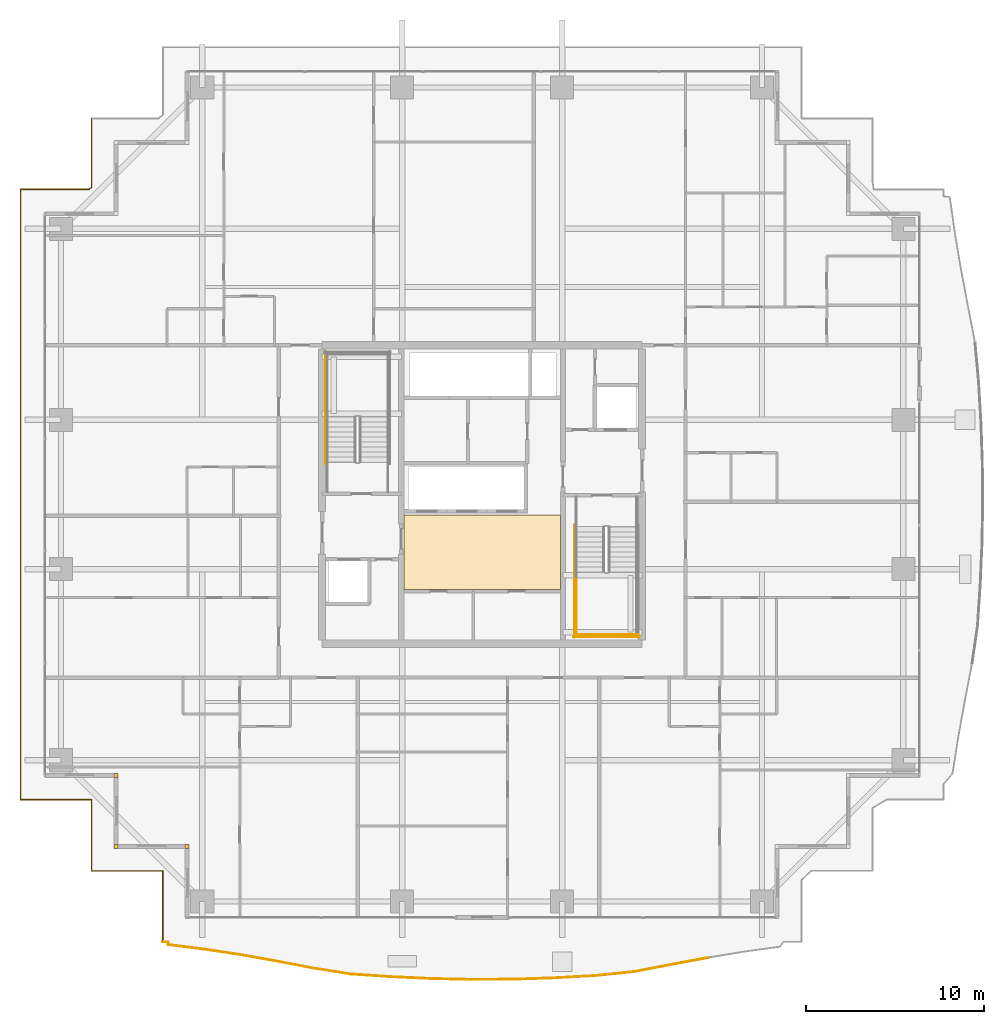
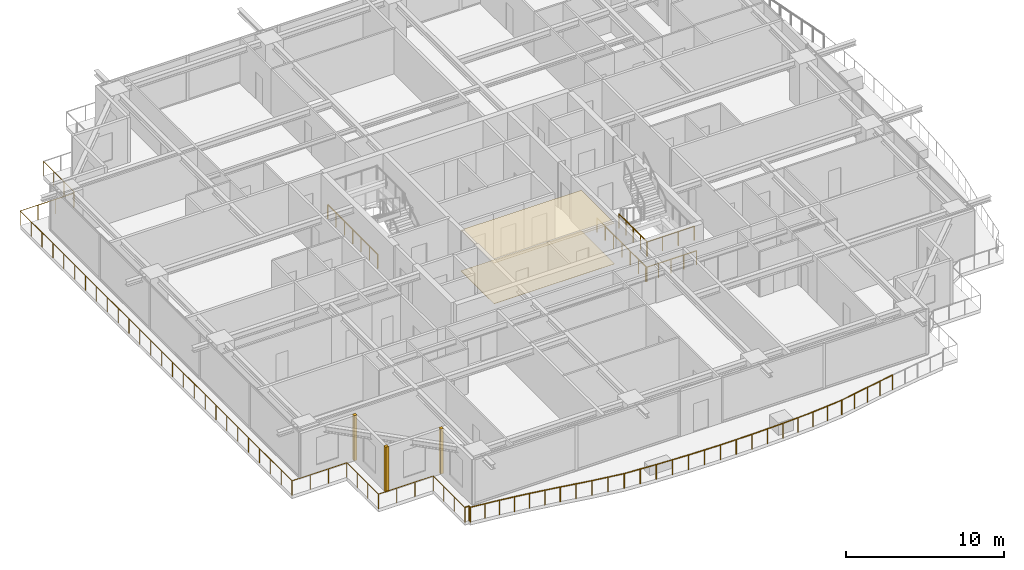
# One storey, part 32 of 36: 8 railings, 5 coverings.
"""IFC4 building model written with IfcOpenShell, lengths in metres."""

import ifcopenshell
import ifcopenshell.guid

model = None  # the IFC model being written
_history = None  # IfcOwnerHistory: only IFC2X3 demands one
_inside = {}  # id of a spatial element -> (the spatial element, [elements in it])
_under = {}  # id of a project, library or spatial element -> (it, [spatial elements below it])
_declared = {}  # id of a project -> (the project, [libraries it declares])
_typed = {}  # id of a type object -> (the type object, [elements of that type])
_made_of = {}  # id of a material, layer set ... -> (it, [elements and type objects made of it])


def new_model(schema):
    """Start an empty IFC model of exactly this schema.

    Asked for "IFC4X3", IfcOpenShell would pick the latest addendum, in which some entities
    have other attributes; the version numbers below select the first issue.
    IFC2X3 requires an IfcOwnerHistory on every rooted entity: one is made here for all.
    """
    global model, _history
    if schema == "IFC4X3":
        model = ifcopenshell.file(schema_version=(4, 3, 0, 0))
    else:
        model = ifcopenshell.file(schema=schema)
    _inside.clear()
    _under.clear()
    _declared.clear()
    _typed.clear()
    _made_of.clear()
    _history = None
    if model.schema == "IFC2X3":
        org = make("IfcOrganization", Name="unknown")
        user = make(
            "IfcPersonAndOrganization",
            ThePerson=make("IfcPerson", FamilyName="unknown"),
            TheOrganization=org,
        )
        app = make(
            "IfcApplication",
            ApplicationDeveloper=org,
            Version="unknown",
            ApplicationFullName="unknown",
            ApplicationIdentifier="unknown",
        )
        _history = make(
            "IfcOwnerHistory",
            OwningUser=user,
            OwningApplication=app,
            ChangeAction="ADDED",
            CreationDate=0,
        )
    return model


def make(cls, **values):
    """One entity of the class cls with the attributes given. An attribute that is None is left unset."""
    return model.create_entity(
        cls, **{name: value for name, value in values.items() if value is not None}
    )


def rooted(cls, **values):
    """An entity with a GlobalId (a new one), such as an element, a storey or a relation."""
    return make(cls, GlobalId=ifcopenshell.guid.new(), OwnerHistory=_history, **values)


def si_unit(unit_type, name, prefix=None):
    """IfcSIUnit, for example si_unit("LENGTHUNIT", "METRE", prefix="MILLI")."""
    return make("IfcSIUnit", UnitType=unit_type, Prefix=prefix, Name=name)


def assignment(units):
    """IfcUnitAssignment: the units of a project."""
    return None if units is None else make("IfcUnitAssignment", Units=units)


def point(xyz):
    """IfcCartesianPoint."""
    return None if xyz is None else make("IfcCartesianPoint", Coordinates=xyz)


def direction(xyz):
    """IfcDirection."""
    return None if xyz is None else make("IfcDirection", DirectionRatios=xyz)


def frame(location, z_axis=None, x_axis=None):
    """IfcAxis2Placement3D, a coordinate frame: its origin and axes. An axis left out is left unset."""
    return make(
        "IfcAxis2Placement3D",
        Location=point(location),
        Axis=direction(z_axis),
        RefDirection=direction(x_axis),
    )


def frame_2d(location, x_axis=None):
    """IfcAxis2Placement2D, a coordinate frame in the plane: its origin and x axis."""
    return make(
        "IfcAxis2Placement2D", Location=point(location), RefDirection=direction(x_axis)
    )


def origin():
    """The frame at (0, 0, 0) with its axes left unset."""
    return frame((0.0, 0.0, 0.0))


def origin_2d():
    """The frame at (0, 0) in the plane with its x axis left unset."""
    return frame_2d((0.0, 0.0))


def place(relative_to, where):
    """IfcLocalPlacement: puts the frame where relative to a parent placement (None: the world)."""
    return make(
        "IfcLocalPlacement", PlacementRelTo=relative_to, RelativePlacement=where
    )


def context(
    kind, dimensions, precision=None, world=None, true_north=None, identifier=None
):
    """IfcGeometricRepresentationContext, for example the 3D "Model" context."""
    return make(
        "IfcGeometricRepresentationContext",
        ContextIdentifier=identifier,
        ContextType=kind,
        CoordinateSpaceDimension=dimensions,
        Precision=precision,
        WorldCoordinateSystem=world,
        TrueNorth=true_north,
    )


def subcontext(parent, identifier, kind, view, scale=None):
    """IfcGeometricRepresentationSubContext, for example "Body" below "Model"."""
    return make(
        "IfcGeometricRepresentationSubContext",
        ContextIdentifier=identifier,
        ContextType=kind,
        ParentContext=parent,
        TargetScale=scale,
        TargetView=view,
    )


def project(units=None, contexts=None):
    """IfcProject with its units and contexts."""
    return rooted(
        "IfcProject",
        Name="project",
        RepresentationContexts=contexts,
        UnitsInContext=assignment(units),
    )


def spatial(cls, under=None, at=None, **own):
    """A site, building, storey or space (cls), placed at a placement, below another one or the project."""
    s = rooted(cls, ObjectPlacement=at, **own)
    if under is not None:
        _under.setdefault(under.id(), (under, []))[1].append(s)
    return s


def polyline(points):
    """IfcPolyline through the points."""
    return make("IfcPolyline", Points=[point(p) for p in points])


def profile(cls, at=None, kind="AREA", **sizes):
    """A parametric profile (cls). Its sizes go by their IFC names, for example OverallWidth=200.0."""
    return make(cls, ProfileType=kind, Position=at, **sizes)


def rectangle(**sizes):
    """IfcRectangleProfileDef."""
    return profile("IfcRectangleProfileDef", **sizes)


def circle(**sizes):
    """IfcCircleProfileDef."""
    return profile("IfcCircleProfileDef", **sizes)


def outline(outer, holes=None, kind="AREA"):
    """IfcArbitraryClosedProfileDef: a profile drawn as a closed curve; with holes, ...WithVoids."""
    if holes is None:
        return make("IfcArbitraryClosedProfileDef", ProfileType=kind, OuterCurve=outer)
    return make(
        "IfcArbitraryProfileDefWithVoids",
        ProfileType=kind,
        OuterCurve=outer,
        InnerCurves=holes,
    )


def extrude(swept, where, along, depth):
    """IfcExtrudedAreaSolid: the profile swept, set in the frame where, extruded along a direction by depth."""
    return make(
        "IfcExtrudedAreaSolid",
        SweptArea=swept,
        Position=where,
        ExtrudedDirection=direction(along),
        Depth=depth,
    )


def shape(context_of_items, identifier, shape_type, items):
    """IfcShapeRepresentation: the items that make up one representation, for example the "Body"."""
    return make(
        "IfcShapeRepresentation",
        ContextOfItems=context_of_items,
        RepresentationIdentifier=identifier,
        RepresentationType=shape_type,
        Items=items,
    )


def source(mapping_origin, context_of_items, identifier, shape_type, items):
    """IfcRepresentationMap: a shape defined once, which mapped items show again and again."""
    return make(
        "IfcRepresentationMap",
        MappingOrigin=mapping_origin,
        MappedRepresentation=shape(context_of_items, identifier, shape_type, items),
    )


def transform(
    local_origin,
    x_axis=None,
    y_axis=None,
    z_axis=None,
    scale=None,
    scale2=None,
    scale3=None,
    uniform=True,
):
    """IfcCartesianTransformationOperator3D, or its non-uniform kind. x_axis, y_axis, z_axis: its Axis1, 2, 3."""
    if uniform:
        return make(
            "IfcCartesianTransformationOperator3D",
            Axis1=direction(x_axis),
            Axis2=direction(y_axis),
            LocalOrigin=point(local_origin),
            Scale=scale,
            Axis3=direction(z_axis),
        )
    return make(
        "IfcCartesianTransformationOperator3DnonUniform",
        Axis1=direction(x_axis),
        Axis2=direction(y_axis),
        LocalOrigin=point(local_origin),
        Scale=scale,
        Axis3=direction(z_axis),
        Scale2=scale2,
        Scale3=scale3,
    )


def mapped(mapping_source, mapping_target):
    """IfcMappedItem: shows the shape of a source again, moved by a transform."""
    return make(
        "IfcMappedItem", MappingSource=mapping_source, MappingTarget=mapping_target
    )


def material(Name=None, Category=None):
    """IfcMaterial."""
    return make("IfcMaterial", Name=Name, Category=Category)


def layer(
    of_material, thickness, ventilated=None, Name=None, Category=None, Priority=None
):
    """IfcMaterialLayer: one layer of a wall or slab, of a material (None: an air gap)."""
    return make(
        "IfcMaterialLayer",
        Material=of_material,
        LayerThickness=thickness,
        IsVentilated=ventilated,
        Name=Name,
        Category=Category,
        Priority=Priority,
    )


def layer_set(layers, Name=None):
    """IfcMaterialLayerSet."""
    return make("IfcMaterialLayerSet", MaterialLayers=layers, LayerSetName=Name)


def made_of(thing, what):
    """Note that an element or type object is made of a material, layer set ...; save() writes the relation."""
    if what is not None:
        _made_of.setdefault(what.id(), (what, []))[1].append(thing)
    return thing


def type_object(cls, material=None, **own):
    """A type object (cls), such as IfcWallType, which elements share."""
    return made_of(rooted(cls, **own), material)


def element(
    cls,
    number,
    at=None,
    inside=None,
    cuts=None,
    type_object=None,
    material=None,
    context=None,
    identifier="Body",
    shape_type=None,
    held_by="IfcProductDefinitionShape",
    body=None,
    shapes=None,
    **own,
):
    """One element of the class cls, such as IfcWall. Its Tag is "e" and its number.

    at: its placement. inside: the storey or other place that contains it. cuts: it is an
    opening in that element (IfcRelVoidsElement). A single representation is given by context,
    identifier, shape_type and body (its items); several are given by shapes. held_by: the class
    of the entity that holds the representations. save() writes the other relations.
    """
    e = rooted(cls, Tag="e%d" % number, ObjectPlacement=at, **own)
    if body is not None:
        shapes = [shape(context, identifier, shape_type, body)]
    if shapes is not None:
        e.Representation = make(held_by, Representations=shapes)
    if inside is not None:
        _inside.setdefault(inside.id(), (inside, []))[1].append(e)
    if cuts is not None:
        rooted(
            "IfcRelVoidsElement", RelatingBuildingElement=cuts, RelatedOpeningElement=e
        )
    if type_object is not None:
        _typed.setdefault(type_object.id(), (type_object, []))[1].append(e)
    return made_of(e, material)


def aggregate(whole, parts):
    """IfcRelAggregates: a whole, such as a stair, and the parts it consists of."""
    return rooted("IfcRelAggregates", RelatingObject=whole, RelatedObjects=parts)


def save(model, path):
    """Write the relations noted so far, then the file.

    IfcRelAggregates (storeys below a building ...), IfcRelContainedInSpatialStructure (elements
    in a storey), IfcRelDefinesByType, IfcRelAssociatesMaterial and IfcRelDeclares: one each for
    every whole, place, type object, material and project.
    """
    for whole, parts in _under.values():
        aggregate(whole, parts)
    for where, things in _inside.values():
        rooted(
            "IfcRelContainedInSpatialStructure",
            RelatedElements=things,
            RelatingStructure=where,
        )
    for kind, things in _typed.values():
        rooted("IfcRelDefinesByType", RelatedObjects=things, RelatingType=kind)
    for what, things in _made_of.values():
        rooted("IfcRelAssociatesMaterial", RelatedObjects=things, RelatingMaterial=what)
    for by, libraries in _declared.values():
        rooted("IfcRelDeclares", RelatingContext=by, RelatedDefinitions=libraries)
    model.write(path)


model = new_model("IFC4")

# Units and contexts
model_context = context("Model", 3, precision=1e-05, world=origin(), true_north=direction((0.0, 1.0)))
body_context = subcontext(model_context, "Body", "Model", "MODEL_VIEW")
ifc_project = project(units=[si_unit("LENGTHUNIT", "METRE"), si_unit("AREAUNIT", "SQUARE_METRE"), si_unit("VOLUMEUNIT", "CUBIC_METRE"), si_unit("PLANEANGLEUNIT", "RADIAN"), si_unit("MASSUNIT", "GRAM", prefix="KILO")], contexts=[model_context])

# Site, building, storey
site_placement = place(None, origin())
site = spatial("IfcSite", under=ifc_project, at=site_placement, CompositionType="ELEMENT")
building_placement = place(site_placement, origin())
building = spatial("IfcBuilding", under=site, at=building_placement, Name="Serunith Strait Residences", CompositionType="ELEMENT")
storey_placement = place(building_placement, frame((0.0, 0.0, 131.39990234375)))
storey = spatial("IfcBuildingStorey", under=building, at=storey_placement, Name="L32", CompositionType="ELEMENT", Elevation=131.39990234375)

# Coverings
ifc_material_1 = material(Name="Perforated acoustic gypsum ceiling tile")
ifc_layer_1 = layer(ifc_material_1, 0.02490234375, Name="Perforated acoustic gypsum ceiling tile")
ifc_layer_set_1 = layer_set([ifc_layer_1], Name="Perforated acoustic gypsum ceiling tile")
covering_type_1 = type_object("IfcCoveringType", Name="COV-CEIL-AC60", PredefinedType="CEILING", material=ifc_layer_set_1)
covering_1_placement = place(storey_placement, frame((0.0, 0.0, 3.14013671875)))
element("IfcCovering", 1, at=covering_1_placement, inside=storey, type_object=covering_type_1, Name="L32 Lift Lobby Acoustic Ceiling", PredefinedType="CEILING", context=body_context, shape_type="SweptSolid", body=[
    extrude(outline(polyline([(28.0, 19.85009765625), (36.800048828125, 19.85009765625), (36.800048828125, 24.050048828125), (28.0, 24.050048828125), (28.0, 19.85009765625)])), origin(), (0.0, 0.0, 1.0), 0.02490234375),
])
ifc_material_2 = material(Name="Honed limestone terrazzo flooring", Category="masonry")
ifc_layer_2 = layer(ifc_material_2, 0.02001953125, Name="Honed limestone terrazzo flooring")
ifc_layer_set_2 = layer_set([ifc_layer_2], Name="Honed limestone terrazzo flooring")
covering_type_2 = type_object("IfcCoveringType", Name="COV-FLOOR-TER40", PredefinedType="FLOORING", material=ifc_layer_set_2)
covering_2_placement = place(storey_placement, origin())
element("IfcCovering", 2, at=covering_2_placement, inside=storey, type_object=covering_type_2, Name="L32 Lift Lobby Terrazzo Flooring", PredefinedType="FLOORING", context=body_context, shape_type="SweptSolid", body=[
    extrude(outline(polyline([(28.0, 19.85009765625), (36.800048828125, 19.85009765625), (36.800048828125, 24.050048828125), (28.0, 24.050048828125), (28.0, 19.85009765625)])), origin(), (0.0, 0.0, 1.0), 0.02001953125),
])

# Railings
ifc_material_3 = material(Name="Stainless Steel & Laminated Glass Balustrade", Category="steel")
railing_type_1 = type_object("IfcRailingType", Name="RLG-BALC-1150", PredefinedType="BALUSTRADE", material=ifc_material_3)
railing_1_placement = place(storey_placement, frame((14.419921875, 0.02001953125, -0.0498046875)))
element("IfcRailing", 3, at=railing_1_placement, inside=storey, type_object=railing_type_1, Name="L32 Swirling Balcony Perimeter Balustrade 1", PredefinedType="BALUSTRADE", context=body_context, shape_type="SweptSolid", body=[
    extrude(circle(Radius=0.02392578125, at=origin_2d()), frame((0.0, 0.001953125, 1.1259765625), z_axis=(0.0, 1.0, 0.0), x_axis=(-1.0, 0.0, 0.0)), (0.0, 0.0, 1.0), 3.99609375),
    extrude(circle(Radius=0.02392578125, at=origin_2d()), frame((-0.001953125, 4.0, 1.1259765625), z_axis=(-1.0, 0.0, 0.0), x_axis=(0.0, -1.0, 0.0)), (0.0, 0.0, 1.0), 3.99609375),
    extrude(circle(Radius=0.02392578125, at=origin_2d()), frame((-4.0, 4.001953125, 1.1259765625), z_axis=(0.0, 1.0, 0.0), x_axis=(-1.0, 0.0, 0.0)), (0.0, 0.0, 1.0), 3.99609375),
    extrude(circle(Radius=0.02392578125, at=origin_2d()), frame((-4.001953125, 8.0, 1.1259765625), z_axis=(-1.0, 0.0, 0.0), x_axis=(0.0, -1.0, 0.0)), (0.0, 0.0, 1.0), 3.99609375),
    extrude(circle(Radius=0.02392578125, at=origin_2d()), frame((-8.0, 8.001953125, 1.1259765625), z_axis=(0.0, 1.0, 0.0), x_axis=(-1.0, 0.0, 0.0)), (0.0, 0.0, 1.0), 34.35595703125),
    extrude(circle(Radius=0.02392578125, at=origin_2d()), frame((-7.998046875, 42.35986328125, 1.1259765625), z_axis=(1.0, 0.0, 0.0), x_axis=(0.0, 1.0, 0.0)), (0.0, 0.0, 1.0), 3.861083984375),
    extrude(circle(Radius=0.02392578125, at=origin_2d()), frame((-4.13330078125, 42.361083984375, 1.1259765625), z_axis=(0.808862567734, 0.587997743633, 0.0), x_axis=(-0.587997743633, 0.808862567734, 0.0)), (0.0, 0.0, 1.0), 0.162841796875),
    extrude(circle(Radius=0.02392578125, at=origin_2d()), frame((-4.0, 42.4599609375, 1.1259765625), z_axis=(0.0, 1.0, 0.0), x_axis=(-1.0, 0.0, 0.0)), (0.0, 0.0, 1.0), 3.89794921875),
    extrude(circle(Radius=0.02099609375, at=origin_2d()), origin(), (0.0, 0.0, 1.0), 1.099853515625),
    extrude(circle(Radius=0.02099609375, at=origin_2d()), frame((0.0, 1.333251953125, 0.0)), (0.0, 0.0, 1.0), 1.099853515625),
    extrude(circle(Radius=0.02099609375, at=origin_2d()), frame((0.0, 2.666748046875, 0.0)), (0.0, 0.0, 1.0), 1.099853515625),
    extrude(circle(Radius=0.02099609375, at=origin_2d()), frame((0.0, 4.0, 0.0)), (0.0, 0.0, 1.0), 1.099853515625),
    extrude(circle(Radius=0.02099609375, at=origin_2d()), frame((-1.333251953125, 4.0, 0.0)), (0.0, 0.0, 1.0), 1.099853515625),
    extrude(circle(Radius=0.02099609375, at=origin_2d()), frame((-2.666748046875, 4.0, 0.0)), (0.0, 0.0, 1.0), 1.099853515625),
    extrude(circle(Radius=0.02099609375, at=origin_2d()), frame((-4.0, 4.0, 0.0)), (0.0, 0.0, 1.0), 1.099853515625),
    extrude(circle(Radius=0.02099609375, at=origin_2d()), frame((-4.0, 5.333251953125, 0.0)), (0.0, 0.0, 1.0), 1.099853515625),
    extrude(circle(Radius=0.02099609375, at=origin_2d()), frame((-4.0, 6.666748046875, 0.0)), (0.0, 0.0, 1.0), 1.099853515625),
    extrude(circle(Radius=0.02099609375, at=origin_2d()), frame((-4.0, 8.0, 0.0)), (0.0, 0.0, 1.0), 1.099853515625),
    extrude(circle(Radius=0.02099609375, at=origin_2d()), frame((-5.333251953125, 8.0, 0.0)), (0.0, 0.0, 1.0), 1.099853515625),
    extrude(circle(Radius=0.02099609375, at=origin_2d()), frame((-6.666748046875, 8.0, 0.0)), (0.0, 0.0, 1.0), 1.099853515625),
    extrude(circle(Radius=0.02099609375, at=origin_2d()), frame((-8.0, 8.0, 0.0)), (0.0, 0.0, 1.0), 1.099853515625),
    extrude(circle(Radius=0.02099609375, at=origin_2d()), frame((-8.0, 9.37451171875, 0.0)), (0.0, 0.0, 1.0), 1.099853515625),
    extrude(circle(Radius=0.02099609375, at=origin_2d()), frame((-8.0, 10.748779296875, 0.0)), (0.0, 0.0, 1.0), 1.099853515625),
    extrude(circle(Radius=0.02099609375, at=origin_2d()), frame((-8.0, 12.123291015625, 0.0)), (0.0, 0.0, 1.0), 1.099853515625),
    extrude(circle(Radius=0.02099609375, at=origin_2d()), frame((-8.0, 13.49755859375, 0.0)), (0.0, 0.0, 1.0), 1.099853515625),
    extrude(circle(Radius=0.02099609375, at=origin_2d()), frame((-8.0, 14.8720703125, 0.0)), (0.0, 0.0, 1.0), 1.099853515625),
    extrude(circle(Radius=0.02099609375, at=origin_2d()), frame((-8.0, 16.246337890625, 0.0)), (0.0, 0.0, 1.0), 1.099853515625),
    extrude(circle(Radius=0.02099609375, at=origin_2d()), frame((-8.0, 17.620849609375, 0.0)), (0.0, 0.0, 1.0), 1.099853515625),
    extrude(circle(Radius=0.02099609375, at=origin_2d()), frame((-8.0, 18.9951171875, 0.0)), (0.0, 0.0, 1.0), 1.099853515625),
    extrude(circle(Radius=0.02099609375, at=origin_2d()), frame((-8.0, 20.36962890625, 0.0)), (0.0, 0.0, 1.0), 1.099853515625),
    extrude(circle(Radius=0.02099609375, at=origin_2d()), frame((-8.0, 21.743896484375, 0.0)), (0.0, 0.0, 1.0), 1.099853515625),
    extrude(circle(Radius=0.02099609375, at=origin_2d()), frame((-8.0, 23.118408203125, 0.0)), (0.0, 0.0, 1.0), 1.099853515625),
    extrude(circle(Radius=0.02099609375, at=origin_2d()), frame((-8.0, 24.49267578125, 0.0)), (0.0, 0.0, 1.0), 1.099853515625),
    extrude(circle(Radius=0.02099609375, at=origin_2d()), frame((-8.0, 25.8671875, 0.0)), (0.0, 0.0, 1.0), 1.099853515625),
    extrude(circle(Radius=0.02099609375, at=origin_2d()), frame((-8.0, 27.241455078125, 0.0)), (0.0, 0.0, 1.0), 1.099853515625),
    extrude(circle(Radius=0.02099609375, at=origin_2d()), frame((-8.0, 28.615966796875, 0.0)), (0.0, 0.0, 1.0), 1.099853515625),
    extrude(circle(Radius=0.02099609375, at=origin_2d()), frame((-8.0, 29.990234375, 0.0)), (0.0, 0.0, 1.0), 1.099853515625),
    extrude(circle(Radius=0.02099609375, at=origin_2d()), frame((-8.0, 31.36474609375, 0.0)), (0.0, 0.0, 1.0), 1.099853515625),
    extrude(circle(Radius=0.02099609375, at=origin_2d()), frame((-8.0, 32.739013671875, 0.0)), (0.0, 0.0, 1.0), 1.099853515625),
    extrude(circle(Radius=0.02099609375, at=origin_2d()), frame((-8.0, 34.113525390625, 0.0)), (0.0, 0.0, 1.0), 1.099853515625),
    extrude(circle(Radius=0.02099609375, at=origin_2d()), frame((-8.0, 35.48779296875, 0.0)), (0.0, 0.0, 1.0), 1.099853515625),
    extrude(circle(Radius=0.02099609375, at=origin_2d()), frame((-8.0, 36.8623046875, 0.0)), (0.0, 0.0, 1.0), 1.099853515625),
    extrude(circle(Radius=0.02099609375, at=origin_2d()), frame((-8.0, 38.236572265625, 0.0)), (0.0, 0.0, 1.0), 1.099853515625),
    extrude(circle(Radius=0.02099609375, at=origin_2d()), frame((-8.0, 39.611083984375, 0.0)), (0.0, 0.0, 1.0), 1.099853515625),
    extrude(circle(Radius=0.02099609375, at=origin_2d()), frame((-8.0, 40.9853515625, 0.0)), (0.0, 0.0, 1.0), 1.099853515625),
    extrude(circle(Radius=0.02099609375, at=origin_2d()), frame((-8.0, 42.35986328125, 0.0)), (0.0, 0.0, 1.0), 1.099853515625),
    extrude(circle(Radius=0.02099609375, at=origin_2d()), frame((-6.711669921875, 42.35986328125, 0.0)), (0.0, 0.0, 1.0), 1.099853515625),
    extrude(circle(Radius=0.02099609375, at=origin_2d()), frame((-5.42333984375, 42.35986328125, 0.0)), (0.0, 0.0, 1.0), 1.099853515625),
    extrude(circle(Radius=0.02099609375, at=origin_2d()), frame((-4.135009765625, 42.35986328125, 0.0)), (0.0, 0.0, 1.0), 1.099853515625),
    extrude(circle(Radius=0.02099609375, at=origin_2d()), frame((-4.0, 42.4580078125, 0.0)), (0.0, 0.0, 1.0), 1.099853515625),
    extrude(circle(Radius=0.02099609375, at=origin_2d()), frame((-4.0, 43.758544921875, 0.0)), (0.0, 0.0, 1.0), 1.099853515625),
    extrude(circle(Radius=0.02099609375, at=origin_2d()), frame((-4.0, 45.059326171875, 0.0)), (0.0, 0.0, 1.0), 1.099853515625),
    extrude(circle(Radius=0.02099609375, at=origin_2d()), frame((-4.0, 46.35986328125, 0.0)), (0.0, 0.0, 1.0), 1.099853515625),
])
railing_2_placement = place(storey_placement, frame((45.138916015625, -0.86181640625, -0.0498046875)))
element("IfcRailing", 4, at=railing_2_placement, inside=storey, type_object=railing_type_1, Name="L32 Swirling Balcony Perimeter Balustrade 7", PredefinedType="BALUSTRADE", context=body_context, shape_type="SweptSolid", body=[
    extrude(circle(Radius=0.02392578125, at=origin_2d()), frame((-0.001953125, -0.000244140625, 1.1259765625), z_axis=(-0.983222284591, -0.182411455461, 0.0), x_axis=(0.182411455461, -0.983222284591, 0.0)), (0.0, 0.0, 1.0), 2.085205078125),
    extrude(circle(Radius=0.02392578125, at=origin_2d()), frame((-2.05615234375, -0.381591796875, 1.1259765625), z_axis=(-0.981869281383, -0.189559263231, 0.0), x_axis=(0.189559263231, -0.981869281383, 0.0)), (0.0, 0.0, 1.0), 2.1455078125),
    extrude(circle(Radius=0.02392578125, at=origin_2d()), frame((-4.166748046875, -0.788818359375, 1.1259765625), z_axis=(-0.994875734398, -0.101105257561, 0.0), x_axis=(0.101105257561, -0.994875734398, 0.0)), (0.0, 0.0, 1.0), 2.2294921875),
    extrude(circle(Radius=0.02392578125, at=origin_2d()), frame((-6.388916015625, -1.014404296875, 1.1259765625), z_axis=(-0.99841686586, -0.056247328531, 0.0), x_axis=(0.056247328531, -0.99841686586, 0.0)), (0.0, 0.0, 1.0), 2.274658203125),
    extrude(circle(Radius=0.02392578125, at=origin_2d()), frame((-8.6640625, -1.142578125, 1.1259765625), z_axis=(-0.999469586078, -0.032566033, 0.0), x_axis=(0.032566033, -0.999469586078, 0.0)), (0.0, 0.0, 1.0), 2.297607421875),
    extrude(circle(Radius=0.02392578125, at=origin_2d()), frame((-10.96435546875, -1.217529296875, 1.1259765625), z_axis=(-0.999981882441, -0.006019533984, 0.0), x_axis=(0.006019533984, -0.999981882441, 0.0)), (0.0, 0.0, 1.0), 2.307861328125),
    extrude(circle(Radius=0.02392578125, at=origin_2d()), frame((-13.276123046875, -1.2314453125, 1.1259765625), z_axis=(-0.999780663931, 0.020943352884, 0.0), x_axis=(-0.020943352884, -0.999780663931, 0.0)), (0.0, 0.0, 1.0), 2.30419921875),
    extrude(circle(Radius=0.02392578125, at=origin_2d()), frame((-15.583740234375, -1.18310546875, 1.1259765625), z_axis=(-0.998934645573, 0.046147306256, 0.0), x_axis=(-0.046147306256, -0.998934645573, 0.0)), (0.0, 0.0, 1.0), 2.286865234375),
    extrude(circle(Radius=0.02099609375, at=origin_2d()), origin(), (0.0, 0.0, 1.0), 1.099853515625),
    extrude(circle(Radius=0.02099609375, at=origin_2d()), frame((-1.027099609375, -0.1904296875, 0.0)), (0.0, 0.0, 1.0), 1.099853515625),
    extrude(circle(Radius=0.02099609375, at=origin_2d()), frame((-2.05419921875, -0.381103515625, 0.0)), (0.0, 0.0, 1.0), 1.099853515625),
    extrude(circle(Radius=0.02099609375, at=origin_2d()), frame((-3.109375, -0.5849609375, 0.0)), (0.0, 0.0, 1.0), 1.099853515625),
    extrude(circle(Radius=0.02099609375, at=origin_2d()), frame((-4.164794921875, -0.78857421875, 0.0)), (0.0, 0.0, 1.0), 1.099853515625),
    extrude(circle(Radius=0.02099609375, at=origin_2d()), frame((-5.27587890625, -0.9013671875, 0.0)), (0.0, 0.0, 1.0), 1.099853515625),
    extrude(circle(Radius=0.02099609375, at=origin_2d()), frame((-6.386962890625, -1.014404296875, 0.0)), (0.0, 0.0, 1.0), 1.099853515625),
    extrude(circle(Radius=0.02099609375, at=origin_2d()), frame((-7.5244140625, -1.07861328125, 0.0)), (0.0, 0.0, 1.0), 1.099853515625),
    extrude(circle(Radius=0.02099609375, at=origin_2d()), frame((-8.662109375, -1.142578125, 0.0)), (0.0, 0.0, 1.0), 1.099853515625),
    extrude(circle(Radius=0.02099609375, at=origin_2d()), frame((-9.812255859375, -1.18017578125, 0.0)), (0.0, 0.0, 1.0), 1.099853515625),
    extrude(circle(Radius=0.02099609375, at=origin_2d()), frame((-10.96240234375, -1.217529296875, 0.0)), (0.0, 0.0, 1.0), 1.099853515625),
    extrude(circle(Radius=0.02099609375, at=origin_2d()), frame((-12.1181640625, -1.224609375, 0.0)), (0.0, 0.0, 1.0), 1.099853515625),
    extrude(circle(Radius=0.02099609375, at=origin_2d()), frame((-13.274169921875, -1.2314453125, 0.0)), (0.0, 0.0, 1.0), 1.099853515625),
    extrude(circle(Radius=0.02099609375, at=origin_2d()), frame((-14.427978515625, -1.207275390625, 0.0)), (0.0, 0.0, 1.0), 1.099853515625),
    extrude(circle(Radius=0.02099609375, at=origin_2d()), frame((-15.581787109375, -1.18310546875, 0.0)), (0.0, 0.0, 1.0), 1.099853515625),
    extrude(circle(Radius=0.02099609375, at=origin_2d()), frame((-16.72607421875, -1.13037109375, 0.0)), (0.0, 0.0, 1.0), 1.099853515625),
    extrude(circle(Radius=0.02099609375, at=origin_2d()), frame((-17.8701171875, -1.077392578125, 0.0)), (0.0, 0.0, 1.0), 1.099853515625),
])
railing_3_placement = place(storey_placement, frame((27.268798828125, -1.939208984375, -0.0498046875)))
element("IfcRailing", 5, at=railing_3_placement, inside=storey, type_object=railing_type_1, Name="L32 Swirling Balcony Perimeter Balustrade 8", PredefinedType="BALUSTRADE", context=body_context, shape_type="SweptSolid", body=[
    extrude(circle(Radius=0.02392578125, at=origin_2d()), frame((-0.001953125, 0.000244140625, 1.1259765625), z_axis=(-0.997709578714, 0.06764315591, 0.0), x_axis=(-0.06764315591, -0.997709578714, 0.0)), (0.0, 0.0, 1.0), 2.259033203125),
    extrude(circle(Radius=0.02392578125, at=origin_2d()), frame((-2.259765625, 0.1533203125, 1.1259765625), z_axis=(-0.987721369634, 0.156225785224, 0.0), x_axis=(-0.156225785224, -0.987721369634, 0.0)), (0.0, 0.0, 1.0), 2.18701171875),
    extrude(circle(Radius=0.02392578125, at=origin_2d()), frame((-4.423828125, 0.495849609375, 1.1259765625), z_axis=(-0.98211395687, 0.188287481582, 0.0), x_axis=(-0.188287481582, -0.98211395687, 0.0)), (0.0, 0.0, 1.0), 2.11474609375),
    extrude(circle(Radius=0.02392578125, at=origin_2d()), frame((-6.504638671875, 0.89453125, 1.1259765625), z_axis=(-0.984814476882, 0.173610040386, 0.0), x_axis=(-0.173610040386, -0.984814476882, 0.0)), (0.0, 0.0, 1.0), 2.061767578125),
    extrude(circle(Radius=0.02392578125, at=origin_2d()), frame((-8.5390625, 1.253173828125, 1.1259765625), z_axis=(-0.988764569187, 0.149481191863, 0.0), x_axis=(-0.149481191863, -0.988764569187, 0.0)), (0.0, 0.0, 1.0), 2.026123046875),
    extrude(circle(Radius=0.02392578125, at=origin_2d()), frame((-10.54638671875, 1.556640625, 1.1259765625), z_axis=(-0.992485630341, 0.122361242097, 0.0), x_axis=(-0.122361242097, -0.992485630341, 0.0)), (0.0, 0.0, 1.0), 2.00732421875),
    extrude(circle(Radius=0.02392578125, at=origin_2d()), frame((-12.54052734375, 1.804443359375, 1.1259765625), z_axis=(0.007787925807, 0.999969673646, 0.0), x_axis=(-0.999969673646, 0.007787925807, 0.0)), (0.0, 0.0, 1.0), 0.15283203125),
    extrude(circle(Radius=0.02392578125, at=origin_2d()), frame((-12.541259765625, 1.959228515625, 1.1259765625), z_axis=(-1.0, 0.0, 0.0), x_axis=(0.0, -1.0, 0.0)), (0.0, 0.0, 1.0), 0.3056640625),
    extrude(circle(Radius=0.02099609375, at=origin_2d()), origin(), (0.0, 0.0, 1.0), 1.099853515625),
    extrude(circle(Radius=0.02099609375, at=origin_2d()), frame((-1.12890625, 0.07666015625, 0.0)), (0.0, 0.0, 1.0), 1.099853515625),
    extrude(circle(Radius=0.02099609375, at=origin_2d()), frame((-2.2578125, 0.153076171875, 0.0)), (0.0, 0.0, 1.0), 1.099853515625),
    extrude(circle(Radius=0.02099609375, at=origin_2d()), frame((-3.33984375, 0.32421875, 0.0)), (0.0, 0.0, 1.0), 1.099853515625),
    extrude(circle(Radius=0.02099609375, at=origin_2d()), frame((-4.421875, 0.495361328125, 0.0)), (0.0, 0.0, 1.0), 1.099853515625),
    extrude(circle(Radius=0.02099609375, at=origin_2d()), frame((-5.46240234375, 0.69482421875, 0.0)), (0.0, 0.0, 1.0), 1.099853515625),
    extrude(circle(Radius=0.02099609375, at=origin_2d()), frame((-6.502685546875, 0.894287109375, 0.0)), (0.0, 0.0, 1.0), 1.099853515625),
    extrude(circle(Radius=0.02099609375, at=origin_2d()), frame((-7.52001953125, 1.07373046875, 0.0)), (0.0, 0.0, 1.0), 1.099853515625),
    extrude(circle(Radius=0.02099609375, at=origin_2d()), frame((-8.537109375, 1.2529296875, 0.0)), (0.0, 0.0, 1.0), 1.099853515625),
    extrude(circle(Radius=0.02099609375, at=origin_2d()), frame((-9.540771484375, 1.40478515625, 0.0)), (0.0, 0.0, 1.0), 1.099853515625),
    extrude(circle(Radius=0.02099609375, at=origin_2d()), frame((-10.54443359375, 1.556396484375, 0.0)), (0.0, 0.0, 1.0), 1.099853515625),
    extrude(circle(Radius=0.02099609375, at=origin_2d()), frame((-11.54248046875, 1.679443359375, 0.0)), (0.0, 0.0, 1.0), 1.099853515625),
    extrude(circle(Radius=0.02099609375, at=origin_2d()), frame((-12.54052734375, 1.802490234375, 0.0)), (0.0, 0.0, 1.0), 1.099853515625),
    extrude(circle(Radius=0.02099609375, at=origin_2d()), frame((-12.539306640625, 1.959228515625, 0.0)), (0.0, 0.0, 1.0), 1.099853515625),
    extrude(circle(Radius=0.02099609375, at=origin_2d()), frame((-12.848876953125, 1.959228515625, 0.0)), (0.0, 0.0, 1.0), 1.099853515625),
])
ifc_material_4 = material(Name="Brushed stainless steel 316L", Category="steel")
railing_type_2 = type_object("IfcRailingType", Name="RLG-STAIR-GUARD", PredefinedType="BALUSTRADE", material=ifc_material_4)
railing_4_placement = place(storey_placement, frame((23.60009765625, 26.929931640625, 0.0)))
element("IfcRailing", 6, at=railing_4_placement, inside=storey, type_object=railing_type_2, Name="L32 ST-1 stair guard 11", PredefinedType="BALUSTRADE", context=body_context, shape_type="SweptSolid", body=[
    extrude(circle(Radius=0.02392578125, at=origin_2d()), frame((0.0, 0.001953125, 1.076171875), z_axis=(0.0, 1.0, 0.0), x_axis=(-1.0, 0.0, 0.0)), (0.0, 0.0, 1.0), 6.316162109375),
    extrude(circle(Radius=0.02099609375, at=origin_2d()), origin(), (0.0, 0.0, 1.0), 1.050048828125),
    extrude(circle(Radius=0.02099609375, at=origin_2d()), frame((0.0, 1.05322265625, 0.0)), (0.0, 0.0, 1.0), 1.050048828125),
    extrude(circle(Radius=0.02099609375, at=origin_2d()), frame((0.0, 2.106689453125, 0.0)), (0.0, 0.0, 1.0), 1.050048828125),
    extrude(circle(Radius=0.02099609375, at=origin_2d()), frame((0.0, 3.16015625, 0.0)), (0.0, 0.0, 1.0), 1.050048828125),
    extrude(circle(Radius=0.02099609375, at=origin_2d()), frame((0.0, 4.21337890625, 0.0)), (0.0, 0.0, 1.0), 1.050048828125),
    extrude(circle(Radius=0.02099609375, at=origin_2d()), frame((0.0, 5.2666015625, 0.0)), (0.0, 0.0, 1.0), 1.050048828125),
    extrude(circle(Radius=0.02099609375, at=origin_2d()), frame((0.0, 6.320068359375, 0.0)), (0.0, 0.0, 1.0), 1.050048828125),
])
railing_5_placement = place(storey_placement, frame((37.699951171875, 20.85009765625, 1.875)))
element("IfcRailing", 7, at=railing_5_placement, inside=storey, type_object=railing_type_2, Name="L32 ST-2 stair guard 3", PredefinedType="BALUSTRADE", context=body_context, shape_type="SweptSolid", body=[
    extrude(circle(Radius=0.02392578125, at=origin_2d()), frame((0.0, -0.001953125, 1.076171875), z_axis=(0.0, -1.0, 0.0), x_axis=(1.0, 0.0, 0.0)), (0.0, 0.0, 1.0), 3.59619140625),
    extrude(circle(Radius=0.02099609375, at=origin_2d()), origin(), (0.0, 0.0, 1.0), 1.050048828125),
    extrude(circle(Radius=0.02099609375, at=origin_2d()), frame((0.0, -0.89990234375, 0.0)), (0.0, 0.0, 1.0), 1.050048828125),
    extrude(circle(Radius=0.02099609375, at=origin_2d()), frame((0.0, -1.800048828125, 0.0)), (0.0, 0.0, 1.0), 1.050048828125),
    extrude(circle(Radius=0.02099609375, at=origin_2d()), frame((0.0, -2.7001953125, 0.0)), (0.0, 0.0, 1.0), 1.050048828125),
    extrude(circle(Radius=0.02099609375, at=origin_2d()), frame((0.0, -3.60009765625, 0.0)), (0.0, 0.0, 1.0), 1.050048828125),
])
railing_6_placement = place(storey_placement, frame((37.64990234375, 17.300048828125, 1.875)))
element("IfcRailing", 8, at=railing_6_placement, inside=storey, type_object=railing_type_2, Name="L32 ST-2 stair guard 5", PredefinedType="BALUSTRADE", context=body_context, shape_type="SweptSolid", body=[
    extrude(circle(Radius=0.02392578125, at=origin_2d()), frame((0.001953125, 0.0, 1.076171875), z_axis=(1.0, 0.0, 0.0), x_axis=(0.0, 1.0, 0.0)), (0.0, 0.0, 1.0), 3.49609375),
    extrude(circle(Radius=0.02099609375, at=origin_2d()), origin(), (0.0, 0.0, 1.0), 1.050048828125),
    extrude(circle(Radius=0.02099609375, at=origin_2d()), frame((1.166748046875, 0.0, 0.0)), (0.0, 0.0, 1.0), 1.050048828125),
    extrude(circle(Radius=0.02099609375, at=origin_2d()), frame((2.333251953125, 0.0, 0.0)), (0.0, 0.0, 1.0), 1.050048828125),
    extrude(circle(Radius=0.02099609375, at=origin_2d()), frame((3.5, 0.0, 0.0)), (0.0, 0.0, 1.0), 1.050048828125),
])
railing_7_placement = place(storey_placement, frame((37.60009765625, 23.469970703125, 0.0)))
element("IfcRailing", 9, at=railing_7_placement, inside=storey, type_object=railing_type_2, Name="L32 ST-2 stair guard 10", PredefinedType="BALUSTRADE", context=body_context, shape_type="SweptSolid", body=[
    extrude(circle(Radius=0.02392578125, at=origin_2d()), frame((0.0, -0.001953125, 1.076171875), z_axis=(0.0, -1.0, 0.0), x_axis=(1.0, 0.0, 0.0)), (0.0, 0.0, 1.0), 6.316162109375),
    extrude(circle(Radius=0.02099609375, at=origin_2d()), origin(), (0.0, 0.0, 1.0), 1.050048828125),
    extrude(circle(Radius=0.02099609375, at=origin_2d()), frame((0.0, -1.05322265625, 0.0)), (0.0, 0.0, 1.0), 1.050048828125),
    extrude(circle(Radius=0.02099609375, at=origin_2d()), frame((0.0, -2.106689453125, 0.0)), (0.0, 0.0, 1.0), 1.050048828125),
    extrude(circle(Radius=0.02099609375, at=origin_2d()), frame((0.0, -3.16015625, 0.0)), (0.0, 0.0, 1.0), 1.050048828125),
    extrude(circle(Radius=0.02099609375, at=origin_2d()), frame((0.0, -4.21337890625, 0.0)), (0.0, 0.0, 1.0), 1.050048828125),
    extrude(circle(Radius=0.02099609375, at=origin_2d()), frame((0.0, -5.2666015625, 0.0)), (0.0, 0.0, 1.0), 1.050048828125),
    extrude(circle(Radius=0.02099609375, at=origin_2d()), frame((0.0, -6.320068359375, 0.0)), (0.0, 0.0, 1.0), 1.050048828125),
])
railing_8_placement = place(storey_placement, frame((37.550048828125, 17.199951171875, 0.0)))
element("IfcRailing", 10, at=railing_8_placement, inside=storey, type_object=railing_type_2, Name="L32 ST-2 stair guard 12", PredefinedType="BALUSTRADE", context=body_context, shape_type="SweptSolid", body=[
    extrude(circle(Radius=0.02392578125, at=origin_2d()), frame((0.001953125, 0.0, 1.076171875), z_axis=(1.0, 0.0, 0.0), x_axis=(0.0, 1.0, 0.0)), (0.0, 0.0, 1.0), 3.696044921875),
    extrude(circle(Radius=0.02099609375, at=origin_2d()), origin(), (0.0, 0.0, 1.0), 1.050048828125),
    extrude(circle(Radius=0.02099609375, at=origin_2d()), frame((0.925048828125, 0.0, 0.0)), (0.0, 0.0, 1.0), 1.050048828125),
    extrude(circle(Radius=0.02099609375, at=origin_2d()), frame((1.85009765625, 0.0, 0.0)), (0.0, 0.0, 1.0), 1.050048828125),
    extrude(circle(Radius=0.02099609375, at=origin_2d()), frame((2.77490234375, 0.0, 0.0)), (0.0, 0.0, 1.0), 1.050048828125),
    extrude(circle(Radius=0.02099609375, at=origin_2d()), frame((3.699951171875, 0.0, 0.0)), (0.0, 0.0, 1.0), 1.050048828125),
])

# Coverings
ifc_material_5 = material(Name="Pale-Champagne Anodised Aluminium", Category="aluminium")
ifc_layer_3 = layer(ifc_material_5, 0.219970703125, Name="Pale-Champagne Anodised Aluminium")
ifc_layer_set_3 = layer_set([ifc_layer_3], Name="Pale-Champagne Anodised Aluminium")
covering_type_3 = type_object("IfcCoveringType", Name="COV-CORN-TRIM", PredefinedType="CLADDING", material=ifc_layer_set_3)
shared_shape = source(origin(), body_context, "Body", "SweptSolid", [
    extrude(rectangle(XDim=0.221923828125, YDim=0.221923828125, at=origin_2d()), origin(), (0.0, 0.0, 1.0), 3.47509765625),
])
for number, where, z_axis, x_axis, name in (
    (11, (11.800048828125, 9.39990234375, 0.0), (0.0, 0.0, 1.0), (1.0, 0.0, 0.0), "L32 Girih Serrated Corner Trim Post 17"),
    (12, (11.800048828125, 5.39990234375, 0.0), (0.0, 0.0, 1.0), (1.0, 0.0, 0.0), "L32 Girih Serrated Corner Trim Post 18"),
    (13, (15.800048828125, 5.39990234375, 0.0), (0.0, 0.0, 1.0), (1.0, 0.0, 0.0), "L32 Girih Serrated Corner Trim Post 19"),
):
    element("IfcCovering", number, at=place(storey_placement, frame(where, z_axis=z_axis, x_axis=x_axis)), inside=storey, type_object=covering_type_3, Name=name, PredefinedType="CLADDING", context=body_context, shape_type="MappedRepresentation", body=[
        mapped(shared_shape, transform((0.0, 0.0, 0.0), scale=1.0)),
    ])

save(model, "model.ifc")
